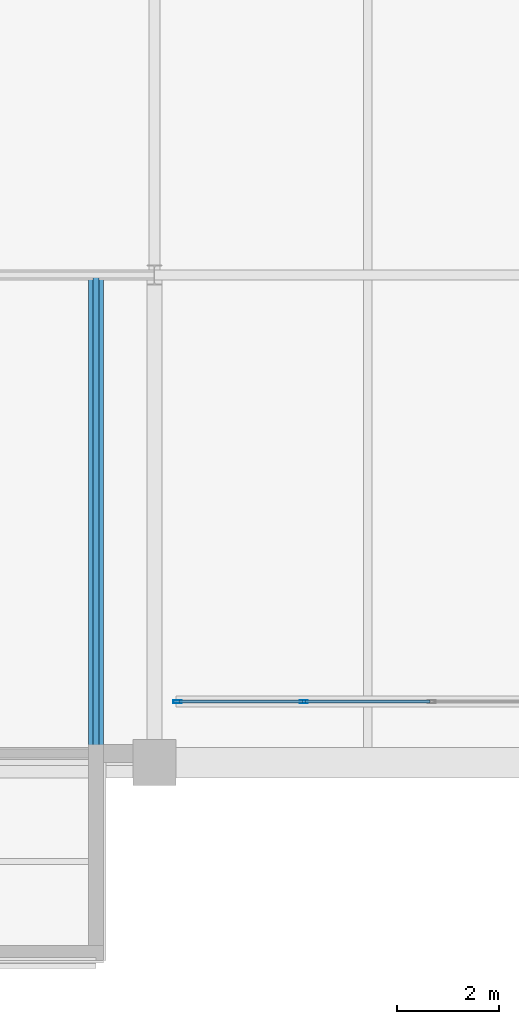
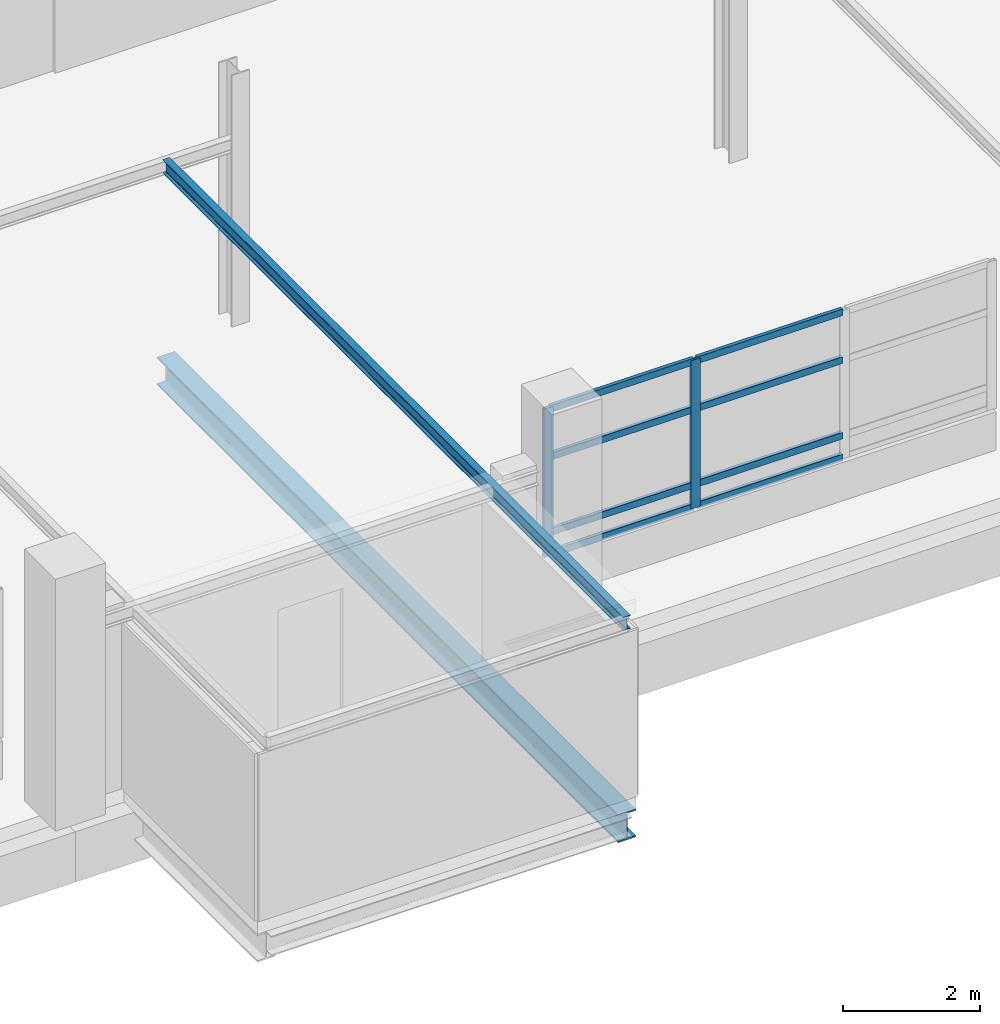
# One storey, part 33 of 103: 10 members, 2 beams, 1 element without a shape of its own.
"""IFC4 building model written with IfcOpenShell, lengths in metres."""

from ifc_helpers import new_model, si_unit, direction, frame, origin, origin_2d, place, context, subcontext, project, spatial, hollow_rectangle, i_section, extrude, material, material_profile, profile_set, type_object, element, aggregate, save


model = new_model("IFC4")

# Units and contexts
model_context = context("Model", 3, precision=1e-05, world=origin(), true_north=direction((0.0, 1.0)))
body_context = subcontext(model_context, "Body", "Model", "MODEL_VIEW")
ifc_project = project(units=[si_unit("LENGTHUNIT", "METRE"), si_unit("AREAUNIT", "SQUARE_METRE"), si_unit("VOLUMEUNIT", "CUBIC_METRE"), si_unit("PLANEANGLEUNIT", "RADIAN"), si_unit("MASSUNIT", "GRAM", prefix="KILO")], contexts=[model_context])

# Site, building, storey
site_placement = place(None, origin())
site = spatial("IfcSite", under=ifc_project, at=site_placement, CompositionType="ELEMENT")
building_placement = place(site_placement, origin())
building = spatial("IfcBuilding", under=site, at=building_placement, Name="Veltarok Museum of Natural Sciences", CompositionType="ELEMENT")
storey_placement = place(building_placement, frame((0.0, 0.0, 21.89990234375)))
storey = spatial("IfcBuildingStorey", under=building, at=storey_placement, Name="L04", CompositionType="ELEMENT", Elevation=21.89990234375)

# Beams
ifc_material_1 = material(Name="Steel S355J2", Category="steel")
ifc_material_profile_1 = material_profile(ifc_material_1, i_section(OverallWidth=0.300048828125, OverallDepth=0.5, WebThickness=0.014404296875, FlangeThickness=0.028076171875, FilletRadius=0.027099609375, at=origin_2d()), Name="HEB 500")
ifc_profile_set_1 = profile_set([ifc_material_profile_1], Name="Steel S355J2")
beam_type_1 = type_object("IfcBeamType", Name="Cabinet Box Cantilever Girder HEB 500", PredefinedType="BEAM", material=ifc_profile_set_1)
beam_1_placement = place(storey_placement, frame((72.449951171875, -3.89990234375, -0.5), z_axis=(0.0, 1.0, 0.0), x_axis=(-1.0, 0.0, 0.0)))
element("IfcBeam", 1, at=beam_1_placement, inside=storey, type_object=beam_type_1, Name="Cabinet Cantilever Girder DB-21-2", PredefinedType="BEAM", context=body_context, shape_type="SweptSolid", body=[
    extrude(i_section(OverallWidth=0.300048828125, OverallDepth=0.5, WebThickness=0.014404296875, FlangeThickness=0.028076171875, FilletRadius=0.027099609375, at=origin_2d()), origin(), (0.0, 0.0, 1.0), 13.5),
])
ifc_material_profile_2 = material_profile(ifc_material_1, i_section(OverallWidth=0.1201171875, OverallDepth=0.239990234375, WebThickness=0.006103515625, FlangeThickness=0.009765625, FilletRadius=0.014892578125, at=origin_2d()), Name="IPE 240")
ifc_profile_set_2 = profile_set([ifc_material_profile_2], Name="Steel S355J2")
beam_type_2 = type_object("IfcBeamType", Name="Cabinet Box Secondary Joist IPE 240", PredefinedType="JOIST", material=ifc_profile_set_2)
beam_2_placement = place(storey_placement, frame((72.449951171875, -3.89990234375, 3.130126953125), z_axis=(0.0, 1.0, 0.0), x_axis=(-1.0, 0.0, 0.0)))
element("IfcBeam", 2, at=beam_2_placement, inside=storey, type_object=beam_type_2, Name="Cabinet Roof Rafter DB-21-2", PredefinedType="JOIST", context=body_context, shape_type="SweptSolid", body=[
    extrude(i_section(OverallWidth=0.1201171875, OverallDepth=0.239990234375, WebThickness=0.006103515625, FlangeThickness=0.009765625, FilletRadius=0.014892578125, at=origin_2d()), origin(), (0.0, 0.0, 1.0), 13.5),
])

# Curtain wall, members
ifc_material_2 = material(Name="Low-iron triple insulated glass", Category="glass")
curtain_wall_type = type_object("IfcCurtainWallType", Name="Curtain Wall System CW-CAB-L04-B-755x266 (V1 Recessed L04 755x266cm)", PredefinedType="NOTDEFINED", material=ifc_material_2)
curtain_wall_placement = place(storey_placement, origin())
curtain_wall = element("IfcCurtainWall", 3, at=curtain_wall_placement, inside=storey, type_object=curtain_wall_type, Name="Curtain Wall CW-CAB-L04-B-755x266 CW-0008", PredefinedType="NOTDEFINED")
ifc_material_3 = material(Name="Thermally broken anodised aluminium", Category="aluminium")
ifc_material_profile_3 = material_profile(ifc_material_3, hollow_rectangle(XDim=0.06005859375, YDim=0.1201171875, WallThickness=0.0048828125, at=origin_2d()), Name="CW TRANSOM 60x120x5")
ifc_profile_set_3 = profile_set([ifc_material_profile_3], Name="Thermally broken anodised aluminium")
member_type_1 = type_object("IfcMemberType", Name="Curtain Wall Horizontal Transom 60x120x5", PredefinedType="USERDEFINED", material=ifc_profile_set_3)
member_1_placement = place(storey_placement, frame((74.0849609375, 1.199951171875, 0.710205078125), z_axis=(1.0, 0.0, 0.0), x_axis=(0.0, 1.0, 0.0)))
member_1 = element("IfcMember", 4, at=member_1_placement, type_object=member_type_1, Name="CW-CAB-L04-B-755x266 transom 1.1", ObjectType="TRANSOM", PredefinedType="USERDEFINED", context=body_context, shape_type="SweptSolid", body=[
    extrude(hollow_rectangle(XDim=0.06005859375, YDim=0.1201171875, WallThickness=0.0048828125, at=origin_2d()), origin(), (0.0, 0.0, 1.0), 2.4267578125),
])
member_2_placement = place(storey_placement, frame((74.0849609375, 1.199951171875, 1.10009765625), z_axis=(1.0, 0.0, 0.0), x_axis=(0.0, 1.0, 0.0)))
member_2 = element("IfcMember", 5, at=member_2_placement, type_object=member_type_1, Name="CW-CAB-L04-B-755x266 transom 1.2", ObjectType="TRANSOM", PredefinedType="USERDEFINED", context=body_context, shape_type="SweptSolid", body=[
    extrude(hollow_rectangle(XDim=0.06005859375, YDim=0.1201171875, WallThickness=0.0048828125, at=origin_2d()), origin(), (0.0, 0.0, 1.0), 2.4267578125),
])
member_3_placement = place(storey_placement, frame((74.0849609375, 1.199951171875, 2.4501953125), z_axis=(1.0, 0.0, 0.0), x_axis=(0.0, 1.0, 0.0)))
member_3 = element("IfcMember", 6, at=member_3_placement, type_object=member_type_1, Name="CW-CAB-L04-B-755x266 transom 1.3", ObjectType="TRANSOM", PredefinedType="USERDEFINED", context=body_context, shape_type="SweptSolid", body=[
    extrude(hollow_rectangle(XDim=0.06005859375, YDim=0.1201171875, WallThickness=0.0048828125, at=origin_2d()), origin(), (0.0, 0.0, 1.0), 2.4267578125),
])
member_4_placement = place(storey_placement, frame((74.0849609375, 1.199951171875, 3.30517578125), z_axis=(1.0, 0.0, 0.0), x_axis=(0.0, 1.0, 0.0)))
member_4 = element("IfcMember", 7, at=member_4_placement, type_object=member_type_1, Name="CW-CAB-L04-B-755x266 transom 1.4", ObjectType="TRANSOM", PredefinedType="USERDEFINED", context=body_context, shape_type="SweptSolid", body=[
    extrude(hollow_rectangle(XDim=0.06005859375, YDim=0.1201171875, WallThickness=0.0048828125, at=origin_2d()), origin(), (0.0, 0.0, 1.0), 2.4267578125),
])
member_5_placement = place(storey_placement, frame((76.57177734375, 1.199951171875, 0.710205078125), z_axis=(1.0, 0.0, 0.0), x_axis=(0.0, 1.0, 0.0)))
member_5 = element("IfcMember", 8, at=member_5_placement, type_object=member_type_1, Name="CW-CAB-L04-B-755x266 transom 2.1", ObjectType="TRANSOM", PredefinedType="USERDEFINED", context=body_context, shape_type="SweptSolid", body=[
    extrude(hollow_rectangle(XDim=0.06005859375, YDim=0.1201171875, WallThickness=0.0048828125, at=origin_2d()), origin(), (0.0, 0.0, 1.0), 2.45654296875),
])
member_6_placement = place(storey_placement, frame((76.57177734375, 1.199951171875, 1.10009765625), z_axis=(1.0, 0.0, 0.0), x_axis=(0.0, 1.0, 0.0)))
member_6 = element("IfcMember", 9, at=member_6_placement, type_object=member_type_1, Name="CW-CAB-L04-B-755x266 transom 2.2", ObjectType="TRANSOM", PredefinedType="USERDEFINED", context=body_context, shape_type="SweptSolid", body=[
    extrude(hollow_rectangle(XDim=0.06005859375, YDim=0.1201171875, WallThickness=0.0048828125, at=origin_2d()), origin(), (0.0, 0.0, 1.0), 2.45654296875),
])
member_7_placement = place(storey_placement, frame((76.57177734375, 1.199951171875, 2.4501953125), z_axis=(1.0, 0.0, 0.0), x_axis=(0.0, 1.0, 0.0)))
member_7 = element("IfcMember", 10, at=member_7_placement, type_object=member_type_1, Name="CW-CAB-L04-B-755x266 transom 2.3", ObjectType="TRANSOM", PredefinedType="USERDEFINED", context=body_context, shape_type="SweptSolid", body=[
    extrude(hollow_rectangle(XDim=0.06005859375, YDim=0.1201171875, WallThickness=0.0048828125, at=origin_2d()), origin(), (0.0, 0.0, 1.0), 2.45654296875),
])
member_8_placement = place(storey_placement, frame((76.57177734375, 1.199951171875, 3.30517578125), z_axis=(1.0, 0.0, 0.0), x_axis=(0.0, 1.0, 0.0)))
member_8 = element("IfcMember", 11, at=member_8_placement, type_object=member_type_1, Name="CW-CAB-L04-B-755x266 transom 2.4", ObjectType="TRANSOM", PredefinedType="USERDEFINED", context=body_context, shape_type="SweptSolid", body=[
    extrude(hollow_rectangle(XDim=0.06005859375, YDim=0.1201171875, WallThickness=0.0048828125, at=origin_2d()), origin(), (0.0, 0.0, 1.0), 2.45654296875),
])
ifc_material_profile_4 = material_profile(ifc_material_3, hollow_rectangle(XDim=0.06005859375, YDim=0.159912109375, WallThickness=0.0048828125, at=origin_2d()), Name="CW MULLION 60x160x5")
ifc_profile_set_4 = profile_set([ifc_material_profile_4], Name="Thermally broken anodised aluminium")
member_type_2 = type_object("IfcMemberType", Name="Curtain Wall Vertical Mullion 60x160x5", PredefinedType="MULLION", material=ifc_profile_set_4)
member_9_placement = place(storey_placement, frame((74.054931640625, 1.199951171875, 0.68017578125), z_axis=(0.0, 0.0, 1.0), x_axis=(0.0, 1.0, 0.0)))
member_9 = element("IfcMember", 12, at=member_9_placement, type_object=member_type_2, Name="CW-CAB-L04-B-755x266 mullion 1", PredefinedType="MULLION", context=body_context, shape_type="SweptSolid", body=[
    extrude(hollow_rectangle(XDim=0.06005859375, YDim=0.159912109375, WallThickness=0.0048828125, at=origin_2d()), origin(), (0.0, 0.0, 1.0), 2.655029296875),
])
member_10_placement = place(storey_placement, frame((76.541748046875, 1.199951171875, 0.68017578125), z_axis=(0.0, 0.0, 1.0), x_axis=(0.0, 1.0, 0.0)))
member_10 = element("IfcMember", 13, at=member_10_placement, type_object=member_type_2, Name="CW-CAB-L04-B-755x266 mullion 2", PredefinedType="MULLION", context=body_context, shape_type="SweptSolid", body=[
    extrude(hollow_rectangle(XDim=0.06005859375, YDim=0.159912109375, WallThickness=0.0048828125, at=origin_2d()), origin(), (0.0, 0.0, 1.0), 2.655029296875),
])
aggregate(curtain_wall, [member_9, member_10, member_1, member_2, member_3, member_4, member_5, member_6, member_7, member_8])

save(model, "model.ifc")
